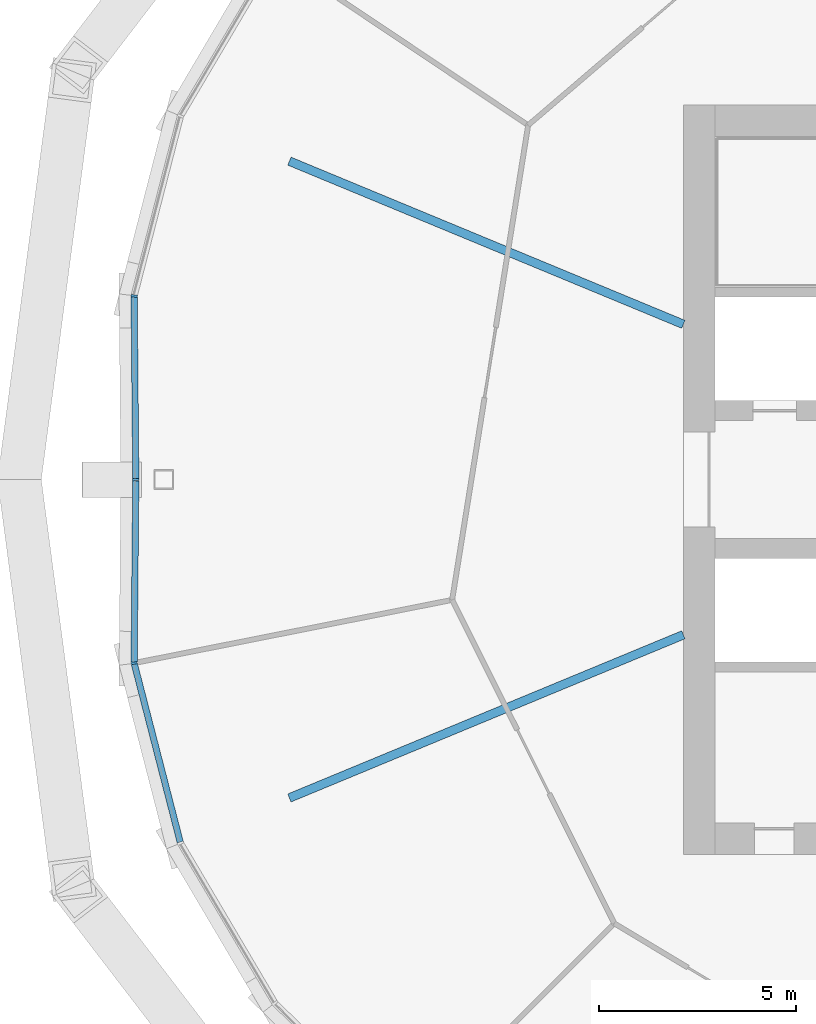
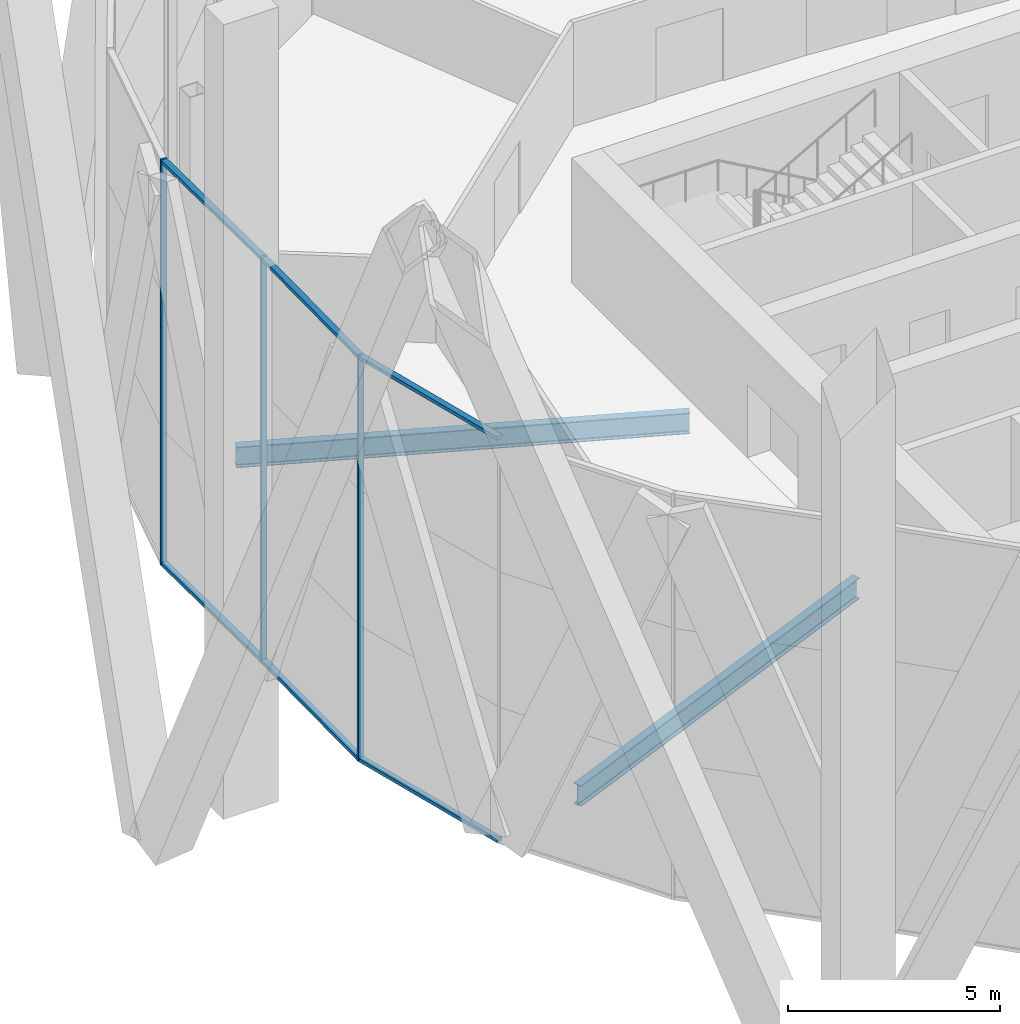
# One storey, part 4 of 26: 9 members, 2 beams, 2 elements without a shape of their own.
"""IFC4 building model written with IfcOpenShell, lengths in metres."""

from ifc_helpers import new_model, si_unit, direction, frame, origin, origin_2d, place, context, subcontext, project, spatial, rectangle, i_section, extrude, material, material_profile, profile_set, type_object, element, aggregate, save


model = new_model("IFC4")

# Units and contexts
model_context = context("Model", 3, precision=1e-05, world=origin(), true_north=direction((0.0, 1.0)))
body_context = subcontext(model_context, "Body", "Model", "MODEL_VIEW")
ifc_project = project(units=[si_unit("LENGTHUNIT", "METRE"), si_unit("AREAUNIT", "SQUARE_METRE"), si_unit("VOLUMEUNIT", "CUBIC_METRE"), si_unit("PLANEANGLEUNIT", "RADIAN"), si_unit("MASSUNIT", "GRAM", prefix="KILO")], contexts=[model_context])

# Site, building, storey
site_placement = place(None, origin())
site = spatial("IfcSite", under=ifc_project, at=site_placement, CompositionType="ELEMENT")
building_placement = place(site_placement, origin())
building = spatial("IfcBuilding", under=site, at=building_placement, Name="Ogive Gate Towers", CompositionType="ELEMENT")
storey_placement = place(building_placement, frame((0.0, 0.0, 76.199951171875)))
storey = spatial("IfcBuildingStorey", under=building, at=storey_placement, Name="L17", CompositionType="ELEMENT", Elevation=76.199951171875)

# Beams
ifc_material_1 = material(Name="Steel SM355", Category="steel")
ifc_material_profile_1 = material_profile(ifc_material_1, i_section(OverallWidth=0.219970703125, OverallDepth=0.60009765625, WebThickness=0.011962890625, FlangeThickness=0.01904296875, FilletRadius=0.02392578125, at=origin_2d()), Name="IPE 600")
ifc_profile_set_1 = profile_set([ifc_material_profile_1], Name="Steel SM355")
beam_type = type_object("IfcBeamType", Name="Radial floor beam IPE 600", PredefinedType="BEAM", material=ifc_profile_set_1)
for number, where, z_axis, x_axis, name in (
    (1, (-45.5, 3.93505859375, -0.599853515625), (-0.923882772696, 0.382675609774, 0.0), (-0.382675609774, -0.923882772696, 0.0), "T1/L17/SBM007"),
    (2, (-45.5, -3.93505859375, -0.599853515625), (-0.923882772696, -0.382675609774, 0.0), (0.382675609774, -0.923882772696, 0.0), "T1/L17/SBM008"),
):
    element("IfcBeam", number, at=place(storey_placement, frame(where, z_axis=z_axis, x_axis=x_axis)), inside=storey, type_object=beam_type, Name=name, PredefinedType="BEAM", context=body_context, shape_type="SweptSolid", body=[
        extrude(i_section(OverallWidth=0.219970703125, OverallDepth=0.60009765625, WebThickness=0.011962890625, FlangeThickness=0.01904296875, FilletRadius=0.02392578125, at=origin_2d()), origin(), (0.0, 0.0, 1.0), 10.809326171875),
    ])

# Curtain wall, members
ifc_material_2 = material(Name="Pale metal aluminium", Category="aluminium")
curtain_wall_type = type_object("IfcCurtainWallType", Name="Tower unitised wall, low zone", PredefinedType="NOTDEFINED", material=ifc_material_2)
curtain_wall_1_placement = place(storey_placement, origin())
curtain_wall_1 = element("IfcCurtainWall", 3, at=curtain_wall_1_placement, inside=storey, type_object=curtain_wall_type, Name="CW1 T1 ECW04", PredefinedType="NOTDEFINED")
ifc_material_profile_2 = material_profile(ifc_material_2, rectangle(XDim=0.159912109375, YDim=0.06005859375, at=origin_2d()), Name="60 x 160 aluminium box")
ifc_profile_set_2 = profile_set([ifc_material_profile_2], Name="Pale metal aluminium")
member_type_1 = type_object("IfcMemberType", Name="Tower unitised wall, low zone mullion 60 x 160", PredefinedType="MULLION", material=ifc_profile_set_2)
member_1_placement = place(storey_placement, frame((-59.4228515625, 4.653076171875, -0.300048828125), z_axis=(0.0, 0.0, 1.0), x_axis=(-0.992635219858, 0.121141736398, 0.0)))
member_1 = element("IfcMember", 4, at=member_1_placement, type_object=member_type_1, Name="CW1 mullion", PredefinedType="MULLION", context=body_context, shape_type="SweptSolid", body=[
    extrude(rectangle(XDim=0.159912109375, YDim=0.06005859375, at=origin_2d()), origin(), (0.0, 0.0, 1.0), 11.7001953125),
])
member_2_placement = place(storey_placement, frame((-59.3798828125, 0.000244140625, -0.300048828125), z_axis=(0.0, 0.0, 1.0), x_axis=(-0.999957699753, -0.009197755467, 0.0)))
member_2 = element("IfcMember", 5, at=member_2_placement, type_object=member_type_1, Name="CW1 mullion", PredefinedType="MULLION", context=body_context, shape_type="SweptSolid", body=[
    extrude(rectangle(XDim=0.159912109375, YDim=0.06005859375, at=origin_2d()), origin(), (0.0, 0.0, 1.0), 11.7001953125),
])

# Curtain wall, member
curtain_wall_2_placement = place(storey_placement, origin())
curtain_wall_2 = element("IfcCurtainWall", 6, at=curtain_wall_2_placement, inside=storey, type_object=curtain_wall_type, Name="CW1 T1 ECW05", PredefinedType="NOTDEFINED")
member_3_placement = place(storey_placement, frame((-59.4228515625, -4.653076171875, -0.300048828125), z_axis=(0.0, 0.0, 1.0), x_axis=(-0.992635219858, -0.121141736398, 0.0)))
member_3 = element("IfcMember", 7, at=member_3_placement, type_object=member_type_1, Name="CW1 mullion", PredefinedType="MULLION", context=body_context, shape_type="SweptSolid", body=[
    extrude(rectangle(XDim=0.159912109375, YDim=0.06005859375, at=origin_2d()), origin(), (0.0, 0.0, 1.0), 11.7001953125),
])

# Member
ifc_material_profile_3 = material_profile(ifc_material_2, rectangle(XDim=0.159912109375, YDim=0.10009765625, at=origin_2d()), Name="100 x 160 aluminium box")
ifc_profile_set_3 = profile_set([ifc_material_profile_3], Name="Pale metal aluminium")
member_type_2 = type_object("IfcMemberType", Name="Tower unitised wall, low zone transom 100 x 160", PredefinedType="USERDEFINED", material=ifc_profile_set_3)
member_4_placement = place(storey_placement, frame((-59.422607421875, 4.62548828125, 11.35009765625), z_axis=(0.009190983574, -0.999957762018, 0.0), x_axis=(0.999957762018, 0.009190983574, 0.0)))
member_4 = element("IfcMember", 8, at=member_4_placement, type_object=member_type_2, Name="CW1 transom", ObjectType="TRANSOM", PredefinedType="USERDEFINED", context=body_context, shape_type="SweptSolid", body=[
    extrude(rectangle(XDim=0.159912109375, YDim=0.10009765625, at=origin_2d()), origin(), (0.0, 0.0, 1.0), 4.595458984375),
])

member_5_placement = place(storey_placement, frame((-59.422607421875, 4.62548828125, -0.25), z_axis=(0.009190983574, -0.999957762018, 0.0), x_axis=(0.999957762018, 0.009190983574, 0.0)))
member_5 = element("IfcMember", 9, at=member_5_placement, type_object=member_type_2, Name="CW1 transom", ObjectType="TRANSOM", PredefinedType="USERDEFINED", context=body_context, shape_type="SweptSolid", body=[
    extrude(rectangle(XDim=0.159912109375, YDim=0.10009765625, at=origin_2d()), origin(), (0.0, 0.0, 1.0), 4.595458984375),
])

aggregate(curtain_wall_1, [member_1, member_2, member_4, member_5])

member_6_placement = place(storey_placement, frame((-59.38037109375, -0.0302734375, 11.35009765625), z_axis=(-0.009190983574, -0.999957762018, 0.0), x_axis=(0.999957762018, -0.009190983574, 0.0)))
member_6 = element("IfcMember", 10, at=member_6_placement, type_object=member_type_2, Name="CW1 transom", ObjectType="TRANSOM", PredefinedType="USERDEFINED", context=body_context, shape_type="SweptSolid", body=[
    extrude(rectangle(XDim=0.159912109375, YDim=0.10009765625, at=origin_2d()), origin(), (0.0, 0.0, 1.0), 4.595458984375),
])

member_7_placement = place(storey_placement, frame((-59.38037109375, -0.0302734375, -0.25), z_axis=(-0.009190983574, -0.999957762018, 0.0), x_axis=(0.999957762018, -0.009190983574, 0.0)))
member_7 = element("IfcMember", 11, at=member_7_placement, type_object=member_type_2, Name="CW1 transom", ObjectType="TRANSOM", PredefinedType="USERDEFINED", context=body_context, shape_type="SweptSolid", body=[
    extrude(rectangle(XDim=0.159912109375, YDim=0.10009765625, at=origin_2d()), origin(), (0.0, 0.0, 1.0), 4.595458984375),
])

member_8_placement = place(storey_placement, frame((-59.416015625, -4.679443359375, 11.35009765625), z_axis=(0.249437215612, -0.968390972422, 0.0), x_axis=(0.968390972422, 0.249437215612, 0.0)))
member_8 = element("IfcMember", 12, at=member_8_placement, type_object=member_type_2, Name="CW1 transom", ObjectType="TRANSOM", PredefinedType="USERDEFINED", context=body_context, shape_type="SweptSolid", body=[
    extrude(rectangle(XDim=0.159912109375, YDim=0.10009765625, at=origin_2d()), origin(), (0.0, 0.0, 1.0), 4.656982421875),
])

member_9_placement = place(storey_placement, frame((-59.416015625, -4.679443359375, -0.25), z_axis=(0.249437215612, -0.968390972422, 0.0), x_axis=(0.968390972422, 0.249437215612, 0.0)))
member_9 = element("IfcMember", 13, at=member_9_placement, type_object=member_type_2, Name="CW1 transom", ObjectType="TRANSOM", PredefinedType="USERDEFINED", context=body_context, shape_type="SweptSolid", body=[
    extrude(rectangle(XDim=0.159912109375, YDim=0.10009765625, at=origin_2d()), origin(), (0.0, 0.0, 1.0), 4.656982421875),
])

aggregate(curtain_wall_2, [member_3, member_6, member_7, member_8, member_9])

save(model, "model.ifc")
